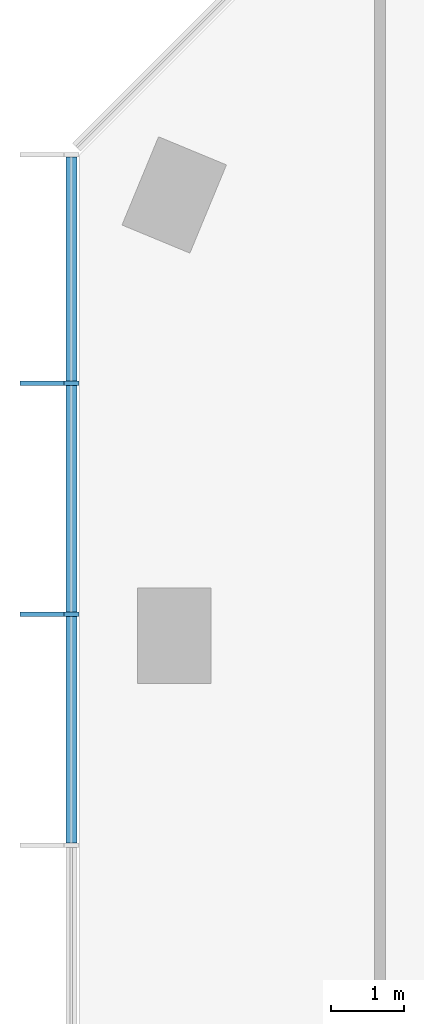
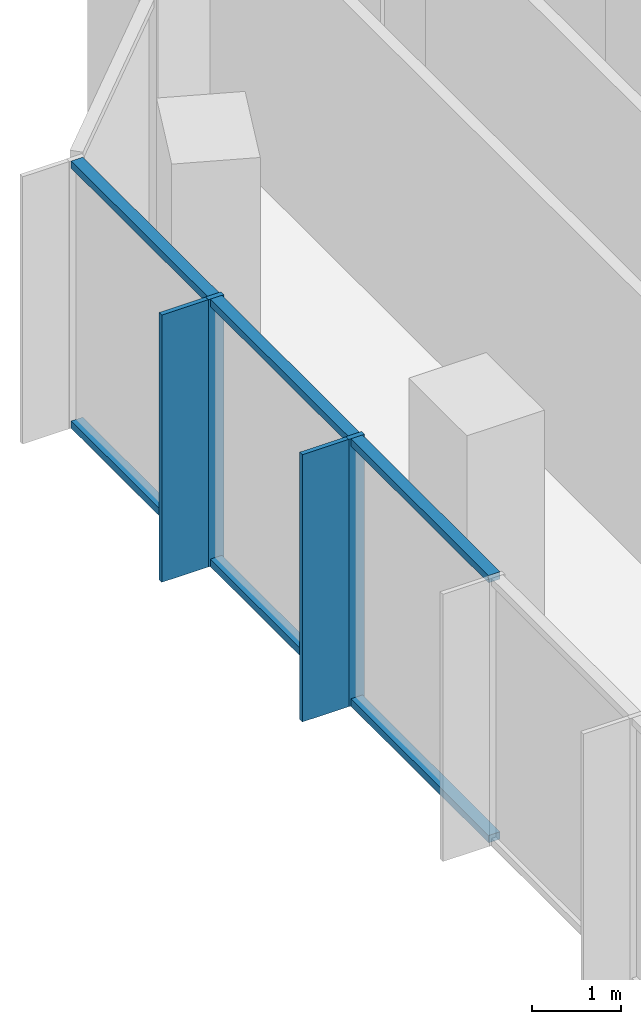
# One storey, part 3 of 10: 10 members, 1 element without a shape of its own.
"""IFC4 building model written with IfcOpenShell, lengths in metres."""

from ifc_helpers import new_model, si_unit, direction, frame, origin, origin_2d, place, context, subcontext, project, spatial, rectangle, extrude, material, layer, layer_set, material_profile, profile_set, type_object, element, aggregate, save


model = new_model("IFC4")

# Units and contexts
model_context = context("Model", 3, precision=1e-05, world=origin(), true_north=direction((0.0, 1.0)))
body_context = subcontext(model_context, "Body", "Model", "MODEL_VIEW")
ifc_project = project(units=[si_unit("LENGTHUNIT", "METRE"), si_unit("AREAUNIT", "SQUARE_METRE"), si_unit("VOLUMEUNIT", "CUBIC_METRE"), si_unit("PLANEANGLEUNIT", "RADIAN"), si_unit("MASSUNIT", "GRAM", prefix="KILO")], contexts=[model_context])

# Site, building, storey
site_placement = place(None, origin())
site = spatial("IfcSite", under=ifc_project, at=site_placement, CompositionType="ELEMENT")
building_placement = place(site_placement, origin())
building = spatial("IfcBuilding", under=site, at=building_placement, Name="Highveld Stack Headquarters", CompositionType="ELEMENT")
storey_placement = place(building_placement, frame((0.0, 0.0, 245.0)))
storey = spatial("IfcBuildingStorey", under=building, at=storey_placement, Name="L60", CompositionType="ELEMENT", Elevation=245.0)

# Curtain wall, members
ifc_material_1 = material(Name="Aluminium bronze anodised", Category="aluminium")
ifc_layer = layer(ifc_material_1, 0.199951171875)
ifc_layer_set = layer_set([ifc_layer], Name="Aluminium bronze anodised")
curtain_wall_type = type_object("IfcCurtainWallType", Name="CW6 SKY LOBBY UNITISED CURTAIN WALL", PredefinedType="NOTDEFINED", material=ifc_layer_set)
curtain_wall_placement = place(storey_placement, origin())
curtain_wall = element("IfcCurtainWall", 1, at=curtain_wall_placement, inside=storey, type_object=curtain_wall_type, Name="Curtain wall CW6 L60 W", PredefinedType="NOTDEFINED")
ifc_material_2 = material(Name="Aluminium bronze anodised", Category="aluminium")
ifc_material_profile_1 = material_profile(ifc_material_2, rectangle(XDim=0.60009765625, YDim=0.06005859375, at=origin_2d()), Name="FIN 600x60")
ifc_profile_set_1 = profile_set([ifc_material_profile_1], Name="Aluminium bronze anodised")
member_type_1 = type_object("IfcMemberType", Name="CW6 BRONZE FIN 600x60", PredefinedType="USERDEFINED", material=ifc_profile_set_1)
member_1_placement = place(storey_placement, frame((-13.800048828125, 15.434814453125, 0.0), z_axis=(0.0, 0.0, 1.0), x_axis=(1.0, 0.0, 0.0)))
member_1 = element("IfcMember", 2, at=member_1_placement, type_object=member_type_1, Name="CW6 fin L60 2", ObjectType="FIN", PredefinedType="USERDEFINED", context=body_context, shape_type="SweptSolid", body=[
    extrude(rectangle(XDim=0.60009765625, YDim=0.06005859375, at=origin_2d()), origin(), (0.0, 0.0, 1.0), 3.64990234375),
])
member_2_placement = place(storey_placement, frame((-13.800048828125, 12.289794921875, 0.0), z_axis=(0.0, 0.0, 1.0), x_axis=(1.0, 0.0, 0.0)))
member_2 = element("IfcMember", 3, at=member_2_placement, type_object=member_type_1, Name="CW6 fin L60 3", ObjectType="FIN", PredefinedType="USERDEFINED", context=body_context, shape_type="SweptSolid", body=[
    extrude(rectangle(XDim=0.60009765625, YDim=0.06005859375, at=origin_2d()), origin(), (0.0, 0.0, 1.0), 3.64990234375),
])
ifc_material_3 = material(Name="Aluminium bronze anodised", Category="aluminium")
ifc_material_profile_2 = material_profile(ifc_material_3, rectangle(XDim=0.199951171875, YDim=0.06494140625, at=origin_2d()), Name="CW6 MULLION 65x200")
ifc_profile_set_2 = profile_set([ifc_material_profile_2], Name="Aluminium bronze anodised")
member_type_2 = type_object("IfcMemberType", Name="CW6 MULLION 65x200", PredefinedType="MULLION", material=ifc_profile_set_2)
member_3_placement = place(storey_placement, frame((-13.39990234375, 15.434814453125, 0.0), z_axis=(0.0, 0.0, 1.0), x_axis=(1.0, 0.0, 0.0)))
member_3 = element("IfcMember", 4, at=member_3_placement, type_object=member_type_2, Name="CW6 mullion L60 2", PredefinedType="MULLION", context=body_context, shape_type="SweptSolid", body=[
    extrude(rectangle(XDim=0.199951171875, YDim=0.06494140625, at=origin_2d()), origin(), (0.0, 0.0, 1.0), 3.64990234375),
])
member_4_placement = place(storey_placement, frame((-13.39990234375, 12.289794921875, 0.0), z_axis=(0.0, 0.0, 1.0), x_axis=(1.0, 0.0, 0.0)))
member_4 = element("IfcMember", 5, at=member_4_placement, type_object=member_type_2, Name="CW6 mullion L60 3", PredefinedType="MULLION", context=body_context, shape_type="SweptSolid", body=[
    extrude(rectangle(XDim=0.199951171875, YDim=0.06494140625, at=origin_2d()), origin(), (0.0, 0.0, 1.0), 3.64990234375),
])
ifc_material_4 = material(Name="Aluminium bronze anodised", Category="aluminium")
ifc_material_profile_3 = material_profile(ifc_material_4, rectangle(XDim=0.14990234375, YDim=0.10009765625, at=origin_2d()), Name="CW6 TRANSOM 150x100")
ifc_profile_set_3 = profile_set([ifc_material_profile_3], Name="Aluminium bronze anodised")
member_type_3 = type_object("IfcMemberType", Name="CW6 STACK TRANSOM 150x100", PredefinedType="USERDEFINED", material=ifc_profile_set_3)
member_5_placement = place(storey_placement, frame((-13.39990234375, 18.514892578125, 0.050048828125), z_axis=(0.0, -1.0, 0.0), x_axis=(1.0, 0.0, 0.0)))
member_5 = element("IfcMember", 6, at=member_5_placement, type_object=member_type_3, Name="CW6 transom L60 1.1", ObjectType="TRANSOM", PredefinedType="USERDEFINED", context=body_context, shape_type="SweptSolid", body=[
    extrude(rectangle(XDim=0.14990234375, YDim=0.10009765625, at=origin_2d()), origin(), (0.0, 0.0, 1.0), 3.047607421875),
])
member_6_placement = place(storey_placement, frame((-13.39990234375, 18.514892578125, 3.60009765625), z_axis=(0.0, -1.0, 0.0), x_axis=(1.0, 0.0, 0.0)))
member_6 = element("IfcMember", 7, at=member_6_placement, type_object=member_type_3, Name="CW6 transom L60 1.2", ObjectType="TRANSOM", PredefinedType="USERDEFINED", context=body_context, shape_type="SweptSolid", body=[
    extrude(rectangle(XDim=0.14990234375, YDim=0.10009765625, at=origin_2d()), origin(), (0.0, 0.0, 1.0), 3.047607421875),
])
member_7_placement = place(storey_placement, frame((-13.39990234375, 15.40234375, 0.050048828125), z_axis=(0.0, -1.0, 0.0), x_axis=(1.0, 0.0, 0.0)))
member_7 = element("IfcMember", 8, at=member_7_placement, type_object=member_type_3, Name="CW6 transom L60 2.1", ObjectType="TRANSOM", PredefinedType="USERDEFINED", context=body_context, shape_type="SweptSolid", body=[
    extrude(rectangle(XDim=0.14990234375, YDim=0.10009765625, at=origin_2d()), origin(), (0.0, 0.0, 1.0), 3.079833984375),
])
member_8_placement = place(storey_placement, frame((-13.39990234375, 15.40234375, 3.60009765625), z_axis=(0.0, -1.0, 0.0), x_axis=(1.0, 0.0, 0.0)))
member_8 = element("IfcMember", 9, at=member_8_placement, type_object=member_type_3, Name="CW6 transom L60 2.2", ObjectType="TRANSOM", PredefinedType="USERDEFINED", context=body_context, shape_type="SweptSolid", body=[
    extrude(rectangle(XDim=0.14990234375, YDim=0.10009765625, at=origin_2d()), origin(), (0.0, 0.0, 1.0), 3.079833984375),
])
member_9_placement = place(storey_placement, frame((-13.39990234375, 12.25732421875, 0.050048828125), z_axis=(0.0, -1.0, 0.0), x_axis=(1.0, 0.0, 0.0)))
member_9 = element("IfcMember", 10, at=member_9_placement, type_object=member_type_3, Name="CW6 transom L60 3.1", ObjectType="TRANSOM", PredefinedType="USERDEFINED", context=body_context, shape_type="SweptSolid", body=[
    extrude(rectangle(XDim=0.14990234375, YDim=0.10009765625, at=origin_2d()), origin(), (0.0, 0.0, 1.0), 3.079833984375),
])
member_10_placement = place(storey_placement, frame((-13.39990234375, 12.25732421875, 3.60009765625), z_axis=(0.0, -1.0, 0.0), x_axis=(1.0, 0.0, 0.0)))
member_10 = element("IfcMember", 11, at=member_10_placement, type_object=member_type_3, Name="CW6 transom L60 3.2", ObjectType="TRANSOM", PredefinedType="USERDEFINED", context=body_context, shape_type="SweptSolid", body=[
    extrude(rectangle(XDim=0.14990234375, YDim=0.10009765625, at=origin_2d()), origin(), (0.0, 0.0, 1.0), 3.079833984375),
])
aggregate(curtain_wall, [member_3, member_1, member_4, member_2, member_5, member_6, member_7, member_8, member_9, member_10])

save(model, "model.ifc")
